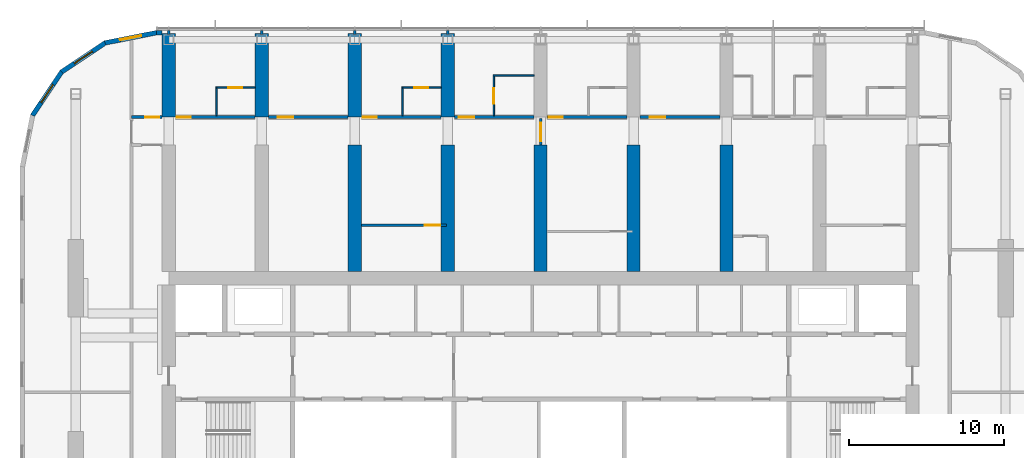
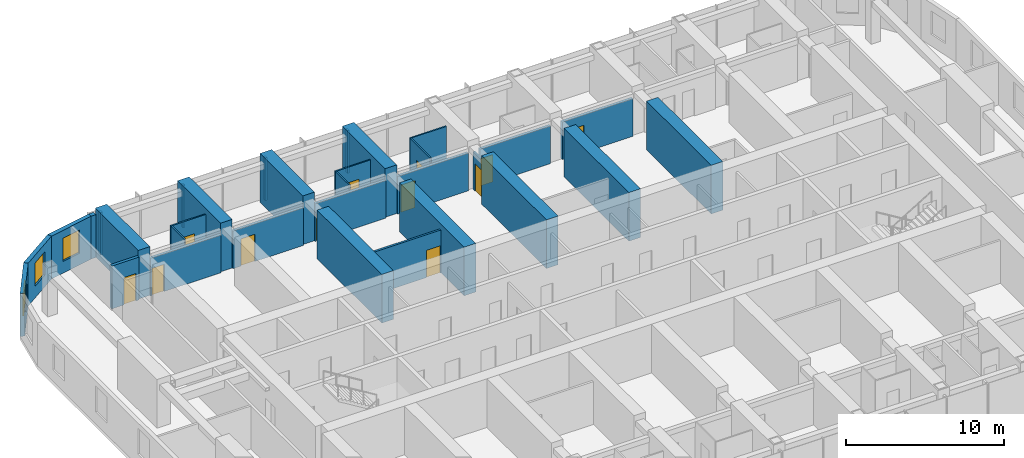
# One storey, part 15 of 22: 32 walls, 12 doors, 3 windows, 15 openings.
"""IFC4 building model written with IfcOpenShell, lengths in metres."""

from ifc_helpers import new_model, si_unit, direction, frame, frame_2d, origin, place, context, subcontext, project, spatial, polyline, rectangle, outline, extrude, material, layer, layer_set, type_object, element, fill, save


model = new_model("IFC4")

# Units and contexts
model_context = context("Model", 3, precision=1e-05, world=origin(), true_north=direction((0.0, 1.0)))
body_context = subcontext(model_context, "Body", "Model", "MODEL_VIEW")
ifc_project = project(units=[si_unit("LENGTHUNIT", "METRE"), si_unit("AREAUNIT", "SQUARE_METRE"), si_unit("VOLUMEUNIT", "CUBIC_METRE"), si_unit("PLANEANGLEUNIT", "RADIAN"), si_unit("MASSUNIT", "GRAM", prefix="KILO")], contexts=[model_context])

# Site, building, storey
site_placement = place(None, origin())
site = spatial("IfcSite", under=ifc_project, at=site_placement, CompositionType="ELEMENT")
building_placement = place(site_placement, origin())
building = spatial("IfcBuilding", under=site, at=building_placement, Name="Orbita Commons", CompositionType="ELEMENT")
storey_placement = place(building_placement, frame((0.0, 0.0, 189.85009765625)))
storey = spatial("IfcBuildingStorey", under=building, at=storey_placement, Name="L47", CompositionType="ELEMENT", Elevation=189.85009765625)

# Wall, opening, door
ifc_material_1 = material(Name="Concrete blockwork", Category="masonry")
ifc_layer_1 = layer(ifc_material_1, 0.199951171875)
ifc_layer_set_1 = layer_set([ifc_layer_1], Name="Concrete blockwork")
wall_type_1 = type_object("IfcWallType", Name="Corridor wall 200 blockwork", PredefinedType="SOLIDWALL", material=ifc_layer_set_1)
wall_1_placement = place(storey_placement, frame((15.60009765625, 48.60009765625, 0.0), z_axis=(0.0, 0.0, 1.0), x_axis=(1.0, 0.0, 0.0)))
wall_1 = element("IfcWall", 1, at=wall_1_placement, inside=storey, type_object=wall_type_1, Name="Corridor wall 200 blockwork L47", PredefinedType="SOLIDWALL", context=body_context, shape_type="SweptSolid", body=[
    extrude(rectangle(XDim=1.974853515625, YDim=0.199951171875, at=frame_2d((0.9873046875, 0.0))), origin(), (0.0, 0.0, 1.0), 3.2998046875),
])
opening_1_placement = place(wall_1_placement, frame((0.875, 0.0, 0.0)))
opening_1 = element("IfcOpeningElement", 2, at=opening_1_placement, cuts=wall_1, Name="Opening D05", PredefinedType="OPENING", context=body_context, shape_type="SweptSolid", body=[
    extrude(rectangle(XDim=0.89990234375, YDim=2.10009765625, at=frame_2d((0.449951171875, 1.050048828125))), frame((0.0, 0.10986328125, 0.0), z_axis=(0.0, -1.0, 0.0), x_axis=(1.0, 0.0, 0.0)), (0.0, 0.0, 1.0), 0.219970703125),
])
ifc_material_2 = material(Name="Steel-faced fire door leaf", Category="steel")
door_type_1 = type_object("IfcDoorType", Name="Service door 20 min 900x2100", OperationType="SINGLE_SWING_LEFT", PredefinedType="DOOR", material=ifc_material_2)
door_1_placement = place(opening_1_placement, origin())
door_1 = element("IfcDoor", 3, at=door_1_placement, inside=storey, type_object=door_type_1, Name="Linen store L47-KWN door", OperationType="SINGLE_SWING_LEFT", OverallHeight=2.10009765625, OverallWidth=0.89990234375, PredefinedType="DOOR", context=body_context, shape_type="SweptSolid", body=[
    extrude(rectangle(XDim=0.89990234375, YDim=2.10009765625, at=frame_2d((0.449951171875, 1.050048828125))), frame((0.0, 0.02490234375, 0.0), z_axis=(0.0, -1.0, 0.0), x_axis=(1.0, 0.0, 0.0)), (0.0, 0.0, 1.0), 0.050048828125),
])
fill(opening_1, door_1)

wall_2_placement = place(storey_placement, frame((18.425048828125, 48.60009765625, 0.0), z_axis=(0.0, 0.0, 1.0), x_axis=(1.0, 0.0, 0.0)))
wall_2 = element("IfcWall", 4, at=wall_2_placement, inside=storey, type_object=wall_type_1, Name="Corridor wall 200 blockwork L47", PredefinedType="SOLIDWALL", context=body_context, shape_type="SweptSolid", body=[
    extrude(outline(polyline([(0.0, 0.0), (5.14990234375, 0.0), (5.14990234375, 2.89990234375), (0.0, 2.89990234375), (0.0, 0.0)])), frame((0.0, 0.10009765625, 0.0), z_axis=(0.0, -1.0, 0.0), x_axis=(1.0, 0.0, 0.0)), (0.0, 0.0, 1.0), 0.199951171875),
])
opening_2_placement = place(wall_2_placement, frame((0.10009765625, 0.0, 0.0)))
opening_2 = element("IfcOpeningElement", 5, at=opening_2_placement, cuts=wall_2, Name="Opening D11", PredefinedType="OPENING", context=body_context, shape_type="SweptSolid", body=[
    extrude(rectangle(XDim=0.89990234375, YDim=2.10009765625, at=frame_2d((0.449951171875, 1.050048828125))), frame((0.0, 0.10986328125, 0.0), z_axis=(0.0, -1.0, 0.0), x_axis=(1.0, 0.0, 0.0)), (0.0, 0.0, 1.0), 0.219970703125),
])
ifc_material_3 = material(Name="Steel-faced fire door leaf", Category="steel")
door_type_2 = type_object("IfcDoorType", Name="Corridor door 20 min 900x2100", OperationType="SINGLE_SWING_LEFT", PredefinedType="DOOR", material=ifc_material_3)
door_2_placement = place(opening_2_placement, origin())
door_2 = element("IfcDoor", 6, at=door_2_placement, inside=storey, type_object=door_type_2, Name="Twin room L47-N00 door", OperationType="SINGLE_SWING_LEFT", OverallHeight=2.10009765625, OverallWidth=0.89990234375, PredefinedType="DOOR", context=body_context, shape_type="SweptSolid", body=[
    extrude(rectangle(XDim=0.89990234375, YDim=2.10009765625, at=frame_2d((0.449951171875, 1.050048828125))), frame((0.0, 0.02490234375, 0.0), z_axis=(0.0, -1.0, 0.0), x_axis=(1.0, 0.0, 0.0)), (0.0, 0.0, 1.0), 0.050048828125),
])
fill(opening_2, door_2)

wall_3_placement = place(storey_placement, frame((24.425048828125, 48.60009765625, 0.0), z_axis=(0.0, 0.0, 1.0), x_axis=(1.0, 0.0, 0.0)))
wall_3 = element("IfcWall", 7, at=wall_3_placement, inside=storey, type_object=wall_type_1, Name="Corridor wall 200 blockwork L47", PredefinedType="SOLIDWALL", context=body_context, shape_type="SweptSolid", body=[
    extrude(outline(polyline([(0.0, 0.0), (5.14990234375, 0.0), (5.14990234375, 2.89990234375), (0.0, 2.89990234375), (0.0, 0.0)])), frame((0.0, 0.10009765625, 0.0), z_axis=(0.0, -1.0, 0.0), x_axis=(1.0, 0.0, 0.0)), (0.0, 0.0, 1.0), 0.199951171875),
])
opening_3_placement = place(wall_3_placement, frame((0.60009765625, 0.0, 0.0)))
opening_3 = element("IfcOpeningElement", 8, at=opening_3_placement, cuts=wall_3, Name="Opening D06", PredefinedType="OPENING", context=body_context, shape_type="SweptSolid", body=[
    extrude(rectangle(XDim=1.0, YDim=2.10009765625, at=frame_2d((0.5, 1.050048828125))), frame((0.0, 0.10986328125, 0.0), z_axis=(0.0, -1.0, 0.0), x_axis=(1.0, 0.0, 0.0)), (0.0, 0.0, 1.0), 0.219970703125),
])
ifc_material_4 = material(Name="Steel-faced fire door leaf", Category="steel")
door_type_3 = type_object("IfcDoorType", Name="Corridor door 20 min 1000x2100", OperationType="SINGLE_SWING_LEFT", PredefinedType="DOOR", material=ifc_material_4)
door_3_placement = place(opening_3_placement, origin())
door_3 = element("IfcDoor", 9, at=door_3_placement, inside=storey, type_object=door_type_3, Name="Sea-view lounge L47-N02 door", OperationType="SINGLE_SWING_LEFT", OverallHeight=2.10009765625, OverallWidth=1.0, PredefinedType="DOOR", context=body_context, shape_type="SweptSolid", body=[
    extrude(rectangle(XDim=1.0, YDim=2.10009765625, at=frame_2d((0.5, 1.050048828125))), frame((0.0, 0.02490234375, 0.0), z_axis=(0.0, -1.0, 0.0), x_axis=(1.0, 0.0, 0.0)), (0.0, 0.0, 1.0), 0.050048828125),
])
fill(opening_3, door_3)

wall_4_placement = place(storey_placement, frame((30.425048828125, 48.60009765625, 0.0), z_axis=(0.0, 0.0, 1.0), x_axis=(1.0, 0.0, 0.0)))
wall_4 = element("IfcWall", 10, at=wall_4_placement, inside=storey, type_object=wall_type_1, Name="Corridor wall 200 blockwork L47", PredefinedType="SOLIDWALL", context=body_context, shape_type="SweptSolid", body=[
    extrude(outline(polyline([(0.0, 0.0), (5.14990234375, 0.0), (5.14990234375, 2.89990234375), (0.0, 2.89990234375), (0.0, 0.0)])), frame((0.0, 0.10009765625, 0.0), z_axis=(0.0, -1.0, 0.0), x_axis=(1.0, 0.0, 0.0)), (0.0, 0.0, 1.0), 0.199951171875),
])
opening_4_placement = place(wall_4_placement, frame((0.10009765625, 0.0, 0.0)))
opening_4 = element("IfcOpeningElement", 11, at=opening_4_placement, cuts=wall_4, Name="Opening D11", PredefinedType="OPENING", context=body_context, shape_type="SweptSolid", body=[
    extrude(rectangle(XDim=0.89990234375, YDim=2.10009765625, at=frame_2d((0.449951171875, 1.050048828125))), frame((0.0, 0.10986328125, 0.0), z_axis=(0.0, -1.0, 0.0), x_axis=(1.0, 0.0, 0.0)), (0.0, 0.0, 1.0), 0.219970703125),
])
door_4_placement = place(opening_4_placement, origin())
door_4 = element("IfcDoor", 12, at=door_4_placement, inside=storey, type_object=door_type_2, Name="Twin room L47-N04 door", OperationType="SINGLE_SWING_LEFT", OverallHeight=2.10009765625, OverallWidth=0.89990234375, PredefinedType="DOOR", context=body_context, shape_type="SweptSolid", body=[
    extrude(rectangle(XDim=0.89990234375, YDim=2.10009765625, at=frame_2d((0.449951171875, 1.050048828125))), frame((0.0, 0.02490234375, 0.0), z_axis=(0.0, -1.0, 0.0), x_axis=(1.0, 0.0, 0.0)), (0.0, 0.0, 1.0), 0.050048828125),
])
fill(opening_4, door_4)

wall_5_placement = place(storey_placement, frame((36.425048828125, 48.60009765625, 0.0), z_axis=(0.0, 0.0, 1.0), x_axis=(1.0, 0.0, 0.0)))
wall_5 = element("IfcWall", 13, at=wall_5_placement, inside=storey, type_object=wall_type_1, Name="Corridor wall 200 blockwork L47", PredefinedType="SOLIDWALL", context=body_context, shape_type="SweptSolid", body=[
    extrude(outline(polyline([(0.0, 0.0), (5.14990234375, 0.0), (5.14990234375, 2.89990234375), (0.0, 2.89990234375), (0.0, 0.0)])), frame((0.0, 0.10009765625, 0.0), z_axis=(0.0, -1.0, 0.0), x_axis=(1.0, 0.0, 0.0)), (0.0, 0.0, 1.0), 0.199951171875),
])
opening_5_placement = place(wall_5_placement, frame((0.300048828125, 0.0, 0.0)))
opening_5 = element("IfcOpeningElement", 14, at=opening_5_placement, cuts=wall_5, Name="Opening D06", PredefinedType="OPENING", context=body_context, shape_type="SweptSolid", body=[
    extrude(rectangle(XDim=1.0, YDim=2.10009765625, at=frame_2d((0.5, 1.050048828125))), frame((0.0, 0.10986328125, 0.0), z_axis=(0.0, -1.0, 0.0), x_axis=(1.0, 0.0, 0.0)), (0.0, 0.0, 1.0), 0.219970703125),
])
door_5_placement = place(opening_5_placement, origin())
door_5 = element("IfcDoor", 15, at=door_5_placement, inside=storey, type_object=door_type_3, Name="Accessible bedroom L47-N06 door", OperationType="SINGLE_SWING_LEFT", OverallHeight=2.10009765625, OverallWidth=1.0, PredefinedType="DOOR", context=body_context, shape_type="SweptSolid", body=[
    extrude(rectangle(XDim=1.0, YDim=2.10009765625, at=frame_2d((0.5, 1.050048828125))), frame((0.0, 0.02490234375, 0.0), z_axis=(0.0, -1.0, 0.0), x_axis=(1.0, 0.0, 0.0)), (0.0, 0.0, 1.0), 0.050048828125),
])
fill(opening_5, door_5)

wall_6_placement = place(storey_placement, frame((42.425048828125, 48.60009765625, 0.0), z_axis=(0.0, 0.0, 1.0), x_axis=(1.0, 0.0, 0.0)))
wall_6 = element("IfcWall", 16, at=wall_6_placement, inside=storey, type_object=wall_type_1, Name="Corridor wall 200 blockwork L47", PredefinedType="SOLIDWALL", context=body_context, shape_type="SweptSolid", body=[
    extrude(outline(polyline([(0.0, 0.0), (5.14990234375, 0.0), (5.14990234375, 2.89990234375), (0.0, 2.89990234375), (0.0, 0.0)])), frame((0.0, 0.10009765625, 0.0), z_axis=(0.0, -1.0, 0.0), x_axis=(1.0, 0.0, 0.0)), (0.0, 0.0, 1.0), 0.199951171875),
])
opening_6_placement = place(wall_6_placement, frame((0.10009765625, 0.0, 0.0)))
opening_6 = element("IfcOpeningElement", 17, at=opening_6_placement, cuts=wall_6, Name="Opening D11", PredefinedType="OPENING", context=body_context, shape_type="SweptSolid", body=[
    extrude(rectangle(XDim=0.89990234375, YDim=2.10009765625, at=frame_2d((0.449951171875, 1.050048828125))), frame((0.0, 0.10986328125, 0.0), z_axis=(0.0, -1.0, 0.0), x_axis=(1.0, 0.0, 0.0)), (0.0, 0.0, 1.0), 0.219970703125),
])
door_6_placement = place(opening_6_placement, origin())
door_6 = element("IfcDoor", 18, at=door_6_placement, inside=storey, type_object=door_type_2, Name="Twin room L47-N08 door", OperationType="SINGLE_SWING_LEFT", OverallHeight=2.10009765625, OverallWidth=0.89990234375, PredefinedType="DOOR", context=body_context, shape_type="SweptSolid", body=[
    extrude(rectangle(XDim=0.89990234375, YDim=2.10009765625, at=frame_2d((0.449951171875, 1.050048828125))), frame((0.0, 0.02490234375, 0.0), z_axis=(0.0, -1.0, 0.0), x_axis=(1.0, 0.0, 0.0)), (0.0, 0.0, 1.0), 0.050048828125),
])
fill(opening_6, door_6)

wall_7_placement = place(storey_placement, frame((48.425048828125, 48.60009765625, 0.0), z_axis=(0.0, 0.0, 1.0), x_axis=(1.0, 0.0, 0.0)))
wall_7 = element("IfcWall", 19, at=wall_7_placement, inside=storey, type_object=wall_type_1, Name="Corridor wall 200 blockwork L47", PredefinedType="SOLIDWALL", context=body_context, shape_type="SweptSolid", body=[
    extrude(outline(polyline([(0.0, 0.0), (5.14990234375, 0.0), (5.14990234375, 2.89990234375), (0.0, 2.89990234375), (0.0, 0.0)])), frame((0.0, 0.10009765625, 0.0), z_axis=(0.0, -1.0, 0.0), x_axis=(1.0, 0.0, 0.0)), (0.0, 0.0, 1.0), 0.199951171875),
])
opening_7_placement = place(wall_7_placement, frame((0.60009765625, 0.0, 0.0)))
opening_7 = element("IfcOpeningElement", 20, at=opening_7_placement, cuts=wall_7, Name="Opening D06", PredefinedType="OPENING", context=body_context, shape_type="SweptSolid", body=[
    extrude(rectangle(XDim=1.0, YDim=2.10009765625, at=frame_2d((0.5, 1.050048828125))), frame((0.0, 0.10986328125, 0.0), z_axis=(0.0, -1.0, 0.0), x_axis=(1.0, 0.0, 0.0)), (0.0, 0.0, 1.0), 0.219970703125),
])
door_7_placement = place(opening_7_placement, origin())
door_7 = element("IfcDoor", 21, at=door_7_placement, inside=storey, type_object=door_type_3, Name="Cluster kitchen-diner L47-N10 door", OperationType="SINGLE_SWING_LEFT", OverallHeight=2.10009765625, OverallWidth=1.0, PredefinedType="DOOR", context=body_context, shape_type="SweptSolid", body=[
    extrude(rectangle(XDim=1.0, YDim=2.10009765625, at=frame_2d((0.5, 1.050048828125))), frame((0.0, 0.02490234375, 0.0), z_axis=(0.0, -1.0, 0.0), x_axis=(1.0, 0.0, 0.0)), (0.0, 0.0, 1.0), 0.050048828125),
])
fill(opening_7, door_7)

# Walls
ifc_material_5 = material(Name="Concrete C50/60", Category="concrete")
ifc_layer_2 = layer(ifc_material_5, 0.85009765625)
ifc_layer_set_2 = layer_set([ifc_layer_2], Name="Concrete C50/60")
wall_type_2 = type_object("IfcWallType", Name="Cross wall 850 C50/60", PredefinedType="SHEAR", material=ifc_layer_set_2)
for number, where, z_axis, x_axis, name in (
    (22, (18.0, 48.60009765625, 0.0), (0.0, 0.0, 1.0), (0.0, 1.0, 0.0), "Cross wall 4 north outer L47"),
    (23, (24.0, 48.60009765625, 0.0), (0.0, 0.0, 1.0), (0.0, 1.0, 0.0), "Cross wall 5 north outer L47"),
    (24, (30.0, 48.60009765625, 0.0), (0.0, 0.0, 1.0), (0.0, 1.0, 0.0), "Cross wall 6 north outer L47"),
):
    element("IfcWall", number, at=place(storey_placement, frame(where, z_axis=z_axis, x_axis=x_axis)), inside=storey, type_object=wall_type_2, Name=name, PredefinedType="SHEAR", context=body_context, shape_type="SweptSolid", body=[
        extrude(rectangle(XDim=5.39990234375, YDim=0.85009765625, at=frame_2d((2.699951171875, 0.0))), origin(), (0.0, 0.0, 1.0), 3.75),
    ])
wall_8_placement = place(storey_placement, frame((30.0, 38.625, 0.0), z_axis=(0.0, 0.0, 1.0), x_axis=(0.0, 1.0, 0.0)))
element("IfcWall", 25, at=wall_8_placement, inside=storey, type_object=wall_type_2, Name="Cross wall 6 north inner L47", PredefinedType="SHEAR", context=body_context, shape_type="SweptSolid", body=[
    extrude(rectangle(XDim=8.175048828125, YDim=0.85009765625, at=frame_2d((4.08740234375, 0.0))), origin(), (0.0, 0.0, 1.0), 3.75),
])
wall_9_placement = place(storey_placement, frame((36.0, 48.60009765625, 0.0), z_axis=(0.0, 0.0, 1.0), x_axis=(0.0, 1.0, 0.0)))
element("IfcWall", 26, at=wall_9_placement, inside=storey, type_object=wall_type_2, Name="Cross wall 7 north outer L47", PredefinedType="SHEAR", context=body_context, shape_type="SweptSolid", body=[
    extrude(rectangle(XDim=5.39990234375, YDim=0.85009765625, at=frame_2d((2.699951171875, 0.0))), origin(), (0.0, 0.0, 1.0), 3.75),
])
for number, where, z_axis, x_axis, name in (
    (27, (36.0, 38.625, 0.0), (0.0, 0.0, 1.0), (0.0, 1.0, 0.0), "Cross wall 7 north inner L47"),
    (28, (42.0, 38.625, 0.0), (0.0, 0.0, 1.0), (0.0, 1.0, 0.0), "Cross wall 8 north inner L47"),
    (29, (48.0, 38.625, 0.0), (0.0, 0.0, 1.0), (0.0, 1.0, 0.0), "Cross wall 9 north inner L47"),
    (30, (54.0, 38.625, 0.0), (0.0, 0.0, 1.0), (0.0, 1.0, 0.0), "Cross wall 10 north inner L47"),
):
    element("IfcWall", number, at=place(storey_placement, frame(where, z_axis=z_axis, x_axis=x_axis)), inside=storey, type_object=wall_type_2, Name=name, PredefinedType="SHEAR", context=body_context, shape_type="SweptSolid", body=[
        extrude(rectangle(XDim=8.175048828125, YDim=0.85009765625, at=frame_2d((4.08740234375, 0.0))), origin(), (0.0, 0.0, 1.0), 3.75),
    ])

# Wall, opening, door
ifc_material_6 = material(Name="Moisture-resistant plasterboard on steel studs", Category="steel")
ifc_layer_3 = layer(ifc_material_6, 0.10009765625)
ifc_layer_set_3 = layer_set([ifc_layer_3], Name="Moisture-resistant plasterboard on steel studs")
wall_type_3 = type_object("IfcWallType", Name="En-suite partition 100", PredefinedType="PARTITIONING", material=ifc_layer_set_3)
wall_10_placement = place(storey_placement, frame((21.02490234375, 50.5, 0.0), z_axis=(0.0, 0.0, 1.0), x_axis=(1.0, 0.0, 0.0)))
wall_10 = element("IfcWall", 31, at=wall_10_placement, inside=storey, type_object=wall_type_3, Name="En-suite partition 100 L47", PredefinedType="PARTITIONING", context=body_context, shape_type="SweptSolid", body=[
    extrude(rectangle(XDim=2.550048828125, YDim=0.10009765625, at=frame_2d((1.27490234375, 0.0))), origin(), (0.0, 0.0, 1.0), 3.2998046875),
])
opening_8_placement = place(wall_10_placement, frame((0.824951171875, 0.0, 0.0)))
opening_8 = element("IfcOpeningElement", 32, at=opening_8_placement, cuts=wall_10, Name="Opening D09", PredefinedType="OPENING", context=body_context, shape_type="SweptSolid", body=[
    extrude(rectangle(XDim=0.89990234375, YDim=2.10009765625, at=frame_2d((0.449951171875, 1.050048828125))), frame((0.0, 0.06005859375, 0.0), z_axis=(0.0, -1.0, 0.0), x_axis=(1.0, 0.0, 0.0)), (0.0, 0.0, 1.0), 0.1201171875),
])
ifc_material_7 = material(Name="Laminated timber door leaf", Category="wood")
door_type_4 = type_object("IfcDoorType", Name="En-suite door 900x2100", OperationType="SINGLE_SWING_RIGHT", PredefinedType="DOOR", material=ifc_material_7)
door_8_placement = place(opening_8_placement, origin())
door_8 = element("IfcDoor", 33, at=door_8_placement, inside=storey, type_object=door_type_4, Name="En-suite L47-N00 door", OperationType="SINGLE_SWING_RIGHT", OverallHeight=2.10009765625, OverallWidth=0.89990234375, PredefinedType="DOOR", context=body_context, shape_type="SweptSolid", body=[
    extrude(rectangle(XDim=0.89990234375, YDim=2.10009765625, at=frame_2d((0.449951171875, 1.050048828125))), frame((0.0, 0.02490234375, 0.0), z_axis=(0.0, -1.0, 0.0), x_axis=(1.0, 0.0, 0.0)), (0.0, 0.0, 1.0), 0.050048828125),
])
fill(opening_8, door_8)

# Wall
wall_11_placement = place(storey_placement, frame((21.074951171875, 50.449951171875, 0.0), z_axis=(0.0, 0.0, 1.0), x_axis=(0.0, -1.0, 0.0)))
element("IfcWall", 34, at=wall_11_placement, inside=storey, type_object=wall_type_3, Name="En-suite partition 100 L47", PredefinedType="PARTITIONING", context=body_context, shape_type="SweptSolid", body=[
    extrude(outline(polyline([(0.0, 0.0), (1.75, 0.0), (1.75, 2.89990234375), (1.701904296875, 2.89990234375), (1.699951171875, 3.2998046875), (0.0, 3.2998046875), (0.0, 0.0)])), frame((0.0, 0.050048828125, 0.0), z_axis=(0.0, -1.0, 0.0), x_axis=(1.0, 0.0, 0.0)), (0.0, 0.0, 1.0), 0.10009765625),
])

# Wall, opening, door
wall_12_placement = place(storey_placement, frame((33.02490234375, 50.5, 0.0), z_axis=(0.0, 0.0, 1.0), x_axis=(1.0, 0.0, 0.0)))
wall_12 = element("IfcWall", 35, at=wall_12_placement, inside=storey, type_object=wall_type_3, Name="En-suite partition 100 L47", PredefinedType="PARTITIONING", context=body_context, shape_type="SweptSolid", body=[
    extrude(rectangle(XDim=2.550048828125, YDim=0.10009765625, at=frame_2d((1.27490234375, 0.0))), origin(), (0.0, 0.0, 1.0), 3.2998046875),
])
opening_9_placement = place(wall_12_placement, frame((0.824951171875, 0.0, 0.0)))
opening_9 = element("IfcOpeningElement", 36, at=opening_9_placement, cuts=wall_12, Name="Opening D09", PredefinedType="OPENING", context=body_context, shape_type="SweptSolid", body=[
    extrude(rectangle(XDim=0.89990234375, YDim=2.10009765625, at=frame_2d((0.449951171875, 1.050048828125))), frame((0.0, 0.06005859375, 0.0), z_axis=(0.0, -1.0, 0.0), x_axis=(1.0, 0.0, 0.0)), (0.0, 0.0, 1.0), 0.1201171875),
])
door_9_placement = place(opening_9_placement, origin())
door_9 = element("IfcDoor", 37, at=door_9_placement, inside=storey, type_object=door_type_4, Name="En-suite L47-N04 door", OperationType="SINGLE_SWING_RIGHT", OverallHeight=2.10009765625, OverallWidth=0.89990234375, PredefinedType="DOOR", context=body_context, shape_type="SweptSolid", body=[
    extrude(rectangle(XDim=0.89990234375, YDim=2.10009765625, at=frame_2d((0.449951171875, 1.050048828125))), frame((0.0, 0.02490234375, 0.0), z_axis=(0.0, -1.0, 0.0), x_axis=(1.0, 0.0, 0.0)), (0.0, 0.0, 1.0), 0.050048828125),
])
fill(opening_9, door_9)

# Walls
wall_13_placement = place(storey_placement, frame((33.074951171875, 50.449951171875, 0.0), z_axis=(0.0, 0.0, 1.0), x_axis=(0.0, -1.0, 0.0)))
element("IfcWall", 38, at=wall_13_placement, inside=storey, type_object=wall_type_3, Name="En-suite partition 100 L47", PredefinedType="PARTITIONING", context=body_context, shape_type="SweptSolid", body=[
    extrude(outline(polyline([(0.0, 0.0), (1.75, 0.0), (1.75, 2.89990234375), (1.701904296875, 2.89990234375), (1.699951171875, 3.2998046875), (0.0, 3.2998046875), (0.0, 0.0)])), frame((0.0, 0.050048828125, 0.0), z_axis=(0.0, -1.0, 0.0), x_axis=(1.0, 0.0, 0.0)), (0.0, 0.0, 1.0), 0.10009765625),
])
wall_14_placement = place(storey_placement, frame((38.925048828125, 51.300048828125, 0.0), z_axis=(0.0, 0.0, 1.0), x_axis=(1.0, 0.0, 0.0)))
element("IfcWall", 39, at=wall_14_placement, inside=storey, type_object=wall_type_3, Name="En-suite partition 100 L47", PredefinedType="PARTITIONING", context=body_context, shape_type="SweptSolid", body=[
    extrude(rectangle(XDim=2.64990234375, YDim=0.10009765625, at=frame_2d((1.324951171875, 0.0))), origin(), (0.0, 0.0, 1.0), 3.2998046875),
])

# Wall, opening, door
wall_15_placement = place(storey_placement, frame((38.97509765625, 51.25, 0.0), z_axis=(0.0, 0.0, 1.0), x_axis=(0.0, -1.0, 0.0)))
wall_15 = element("IfcWall", 40, at=wall_15_placement, inside=storey, type_object=wall_type_3, Name="En-suite partition 100 L47", PredefinedType="PARTITIONING", context=body_context, shape_type="SweptSolid", body=[
    extrude(outline(polyline([(0.0, 0.0), (2.550048828125, 0.0), (2.550048828125, 2.89990234375), (2.501953125, 2.89990234375), (2.5, 3.2998046875), (0.0, 3.2998046875), (0.0, 0.0)])), frame((0.0, 0.050048828125, 0.0), z_axis=(0.0, -1.0, 0.0), x_axis=(1.0, 0.0, 0.0)), (0.0, 0.0, 1.0), 0.10009765625),
])
opening_10_placement = place(wall_15_placement, frame((0.800048828125, 0.0, 0.0)))
opening_10 = element("IfcOpeningElement", 41, at=opening_10_placement, cuts=wall_15, Name="Opening D13", PredefinedType="OPENING", context=body_context, shape_type="SweptSolid", body=[
    extrude(rectangle(XDim=1.0, YDim=2.10009765625, at=frame_2d((0.5, 1.050048828125))), frame((0.0, 0.06005859375, 0.0), z_axis=(0.0, -1.0, 0.0), x_axis=(1.0, 0.0, 0.0)), (0.0, 0.0, 1.0), 0.1201171875),
])
ifc_material_8 = material(Name="Laminated timber door leaf", Category="wood")
door_type_5 = type_object("IfcDoorType", Name="En-suite door 1000x2100", OperationType="SINGLE_SWING_RIGHT", PredefinedType="DOOR", material=ifc_material_8)
door_10_placement = place(opening_10_placement, origin())
door_10 = element("IfcDoor", 42, at=door_10_placement, inside=storey, type_object=door_type_5, Name="Accessible shower room L47-N06 door", OperationType="SINGLE_SWING_RIGHT", OverallHeight=2.10009765625, OverallWidth=1.0, PredefinedType="DOOR", context=body_context, shape_type="SweptSolid", body=[
    extrude(rectangle(XDim=1.0, YDim=2.10009765625, at=frame_2d((0.5, 1.050048828125))), frame((0.0, 0.02490234375, 0.0), z_axis=(0.0, -1.0, 0.0), x_axis=(1.0, 0.0, 0.0)), (0.0, 0.0, 1.0), 0.050048828125),
])
fill(opening_10, door_10)

ifc_material_9 = material(Name="Gypsum plasterboard on steel studs", Category="steel")
ifc_layer_4 = layer(ifc_material_9, 0.14990234375)
ifc_layer_set_4 = layer_set([ifc_layer_4], Name="Gypsum plasterboard on steel studs")
wall_type_4 = type_object("IfcWallType", Name="Partition 150 plasterboard", PredefinedType="PARTITIONING", material=ifc_layer_set_4)
wall_16_placement = place(storey_placement, frame((35.925048828125, 41.625, 0.0), z_axis=(0.0, 0.0, 1.0), x_axis=(-1.0, 0.0, 0.0)))
wall_16 = element("IfcWall", 43, at=wall_16_placement, inside=storey, type_object=wall_type_4, Name="Partition 150 plasterboard L47", PredefinedType="PARTITIONING", context=body_context, shape_type="SweptSolid", body=[
    extrude(rectangle(XDim=5.5, YDim=0.14990234375, at=frame_2d((2.75, 0.0))), origin(), (0.0, 0.0, 1.0), 3.2998046875),
])
opening_11_placement = place(wall_16_placement, frame((0.39990234375, 0.0, 0.0)))
opening_11 = element("IfcOpeningElement", 44, at=opening_11_placement, cuts=wall_16, Name="Opening D17", PredefinedType="OPENING", context=body_context, shape_type="SweptSolid", body=[
    extrude(rectangle(XDim=1.0, YDim=2.10009765625, at=frame_2d((0.5, 1.050048828125))), frame((0.0, 0.0849609375, 0.0), z_axis=(0.0, -1.0, 0.0), x_axis=(1.0, 0.0, 0.0)), (0.0, 0.0, 1.0), 0.169921875),
])
ifc_material_10 = material(Name="Steel-faced fire door leaf", Category="steel")
door_type_6 = type_object("IfcDoorType", Name="Shaft access door 90 min 1000x2100", OperationType="SINGLE_SWING_LEFT", PredefinedType="DOOR", material=ifc_material_10)
door_11_placement = place(opening_11_placement, origin())
door_11 = element("IfcDoor", 45, at=door_11_placement, inside=storey, type_object=door_type_6, Name="Ventilation plant room north L47-BDN30 door", OperationType="SINGLE_SWING_LEFT", OverallHeight=2.10009765625, OverallWidth=1.0, PredefinedType="DOOR", context=body_context, shape_type="SweptSolid", body=[
    extrude(rectangle(XDim=1.0, YDim=2.10009765625, at=frame_2d((0.5, 1.050048828125))), frame((0.0, 0.02490234375, 0.0), z_axis=(0.0, -1.0, 0.0), x_axis=(1.0, 0.0, 0.0)), (0.0, 0.0, 1.0), 0.050048828125),
])
fill(opening_11, door_11)

wall_17_placement = place(storey_placement, frame((42.0, 46.800048828125, 0.0), z_axis=(0.0, 0.0, 1.0), x_axis=(0.0, 1.0, 0.0)))
wall_17 = element("IfcWall", 46, at=wall_17_placement, inside=storey, type_object=wall_type_4, Name="Partition 150 plasterboard L47", PredefinedType="PARTITIONING", context=body_context, shape_type="SweptSolid", body=[
    extrude(outline(polyline([(0.0, 0.0), (1.699951171875, 0.0), (1.699951171875, 2.89990234375), (0.0, 2.89990234375), (0.0, 0.0)])), frame((0.0, 0.074951171875, 0.0), z_axis=(0.0, -1.0, 0.0), x_axis=(1.0, 0.0, 0.0)), (0.0, 0.0, 1.0), 0.14990234375),
])
opening_12_placement = place(wall_17_placement, frame((0.25, 0.0, 0.0)))
opening_12 = element("IfcOpeningElement", 47, at=opening_12_placement, cuts=wall_17, Name="Opening D12", PredefinedType="OPENING", context=body_context, shape_type="SweptSolid", body=[
    extrude(rectangle(XDim=1.199951171875, YDim=2.10009765625, at=frame_2d((0.60009765625, 1.050048828125))), frame((0.0, 0.0849609375, 0.0), z_axis=(0.0, -1.0, 0.0), x_axis=(1.0, 0.0, 0.0)), (0.0, 0.0, 1.0), 0.169921875),
])
ifc_material_11 = material(Name="Steel-faced fire door leaf", Category="steel")
door_type_7 = type_object("IfcDoorType", Name="Double corridor door 20 min 1200x2100", OperationType="DOUBLE_DOOR_SINGLE_SWING", PredefinedType="DOOR", material=ifc_material_11)
door_12_placement = place(opening_12_placement, origin())
door_12 = element("IfcDoor", 48, at=door_12_placement, inside=storey, type_object=door_type_7, Name="Social spine north screen doors", OperationType="DOUBLE_DOOR_SINGLE_SWING", OverallHeight=2.10009765625, OverallWidth=1.199951171875, PredefinedType="DOOR", context=body_context, shape_type="SweptSolid", body=[
    extrude(rectangle(XDim=1.199951171875, YDim=2.10009765625, at=frame_2d((0.60009765625, 1.050048828125))), frame((0.0, 0.02490234375, 0.0), z_axis=(0.0, -1.0, 0.0), x_axis=(1.0, 0.0, 0.0)), (0.0, 0.0, 1.0), 0.050048828125),
])
fill(opening_12, door_12)

# Walls
for number, where, z_axis, x_axis, name in (
    (49, (18.0, 53.949951171875, 0.0), (0.0, 0.0, 1.0), (0.0, 1.0, 0.0), "Partition 150 plasterboard L47"),
    (50, (24.0, 53.949951171875, 0.0), (0.0, 0.0, 1.0), (0.0, 1.0, 0.0), "Partition 150 plasterboard L47"),
    (51, (30.0, 53.949951171875, 0.0), (0.0, 0.0, 1.0), (0.0, 1.0, 0.0), "Partition 150 plasterboard L47"),
    (52, (36.0, 53.949951171875, 0.0), (0.0, 0.0, 1.0), (0.0, 1.0, 0.0), "Partition 150 plasterboard L47"),
):
    element("IfcWall", number, at=place(storey_placement, frame(where, z_axis=z_axis, x_axis=x_axis)), inside=storey, type_object=wall_type_4, Name=name, PredefinedType="PARTITIONING", context=body_context, shape_type="SweptSolid", body=[
        extrude(rectangle(XDim=0.239990234375, YDim=0.14990234375, at=frame_2d((0.1201171875, 0.0))), origin(), (0.0, 0.0, 1.0), 3.2998046875),
    ])

# Wall, opening, window
ifc_material_12 = material(Name="Precast concrete C40/50, white board-marked finish", Category="concrete")
ifc_layer_5 = layer(ifc_material_12, 0.300048828125)
ifc_layer_set_5 = layer_set([ifc_layer_5], Name="Precast concrete C40/50, white board-marked finish")
wall_type_5 = type_object("IfcWallType", Name="Precast concrete end shield 300", PredefinedType="SOLIDWALL", material=ifc_layer_set_5)
wall_18_placement = place(storey_placement, frame((17.199951171875, 54.050048828125, 0.0), z_axis=(0.0, 0.0, 1.0), x_axis=(-0.98078325777, -0.195100490205, 0.0)))
wall_18 = element("IfcWall", 53, at=wall_18_placement, inside=storey, type_object=wall_type_5, Name="End shield NW chord 1 L47", PredefinedType="SOLIDWALL", context=body_context, shape_type="SweptSolid", body=[
    extrude(outline(polyline([(-0.02978515625, -0.14990234375), (3.40478515625, -0.14990234375), (3.34521484375, 0.14990234375), (0.02978515625, 0.14990234375), (-0.02978515625, -0.14990234375)])), origin(), (0.0, 0.0, 1.0), 3.2998046875),
])
opening_13_placement = place(wall_18_placement, frame((0.987548828125, 0.0, 0.89990234375)))
opening_13 = element("IfcOpeningElement", 54, at=opening_13_placement, cuts=wall_18, Name="Opening W02", PredefinedType="OPENING", context=body_context, shape_type="SweptSolid", body=[
    extrude(rectangle(XDim=1.39990234375, YDim=1.800048828125, at=frame_2d((0.699951171875, 0.89990234375))), frame((0.0, 0.159912109375, 0.0), z_axis=(0.0, -1.0, 0.0), x_axis=(1.0, 0.0, 0.0)), (0.0, 0.0, 1.0), 0.320068359375),
])
ifc_material_13 = material(Name="Aluminium frame, clear double glazing", Category="aluminium")
window_type = type_object("IfcWindowType", Name="Deep-set window 1400x1800", PartitioningType="SINGLE_PANEL", PredefinedType="WINDOW", material=ifc_material_13)
window_1_placement = place(opening_13_placement, origin())
window_1 = element("IfcWindow", 55, at=window_1_placement, inside=storey, type_object=window_type, Name="Window L47-NW0", OverallHeight=1.800048828125, OverallWidth=1.39990234375, PartitioningType="SINGLE_PANEL", PredefinedType="WINDOW", context=body_context, shape_type="SweptSolid", body=[
    extrude(rectangle(XDim=1.39990234375, YDim=1.800048828125, at=frame_2d((0.699951171875, 0.89990234375))), frame((0.0, 0.030029296875, 0.0), z_axis=(0.0, -1.0, 0.0), x_axis=(1.0, 0.0, 0.0)), (0.0, 0.0, 1.0), 0.06005859375),
])
fill(opening_13, window_1)

wall_19_placement = place(storey_placement, frame((13.889892578125, 53.3916015625, 0.0), z_axis=(0.0, 0.0, 1.0), x_axis=(-0.831493450887, -0.555534554399, 0.0)))
wall_19 = element("IfcWall", 56, at=wall_19_placement, inside=storey, type_object=wall_type_5, Name="End shield NW chord 2 L47", PredefinedType="SOLIDWALL", context=body_context, shape_type="SweptSolid", body=[
    extrude(outline(polyline([(-0.02978515625, -0.14990234375), (3.405029296875, -0.14990234375), (3.345458984375, 0.14990234375), (0.02978515625, 0.14990234375), (-0.02978515625, -0.14990234375)])), origin(), (0.0, 0.0, 1.0), 3.2998046875),
])
opening_14_placement = place(wall_19_placement, frame((0.987548828125, 0.0, 0.89990234375)))
opening_14 = element("IfcOpeningElement", 57, at=opening_14_placement, cuts=wall_19, Name="Opening W02", PredefinedType="OPENING", context=body_context, shape_type="SweptSolid", body=[
    extrude(rectangle(XDim=1.39990234375, YDim=1.800048828125, at=frame_2d((0.699951171875, 0.89990234375))), frame((0.0, 0.159912109375, 0.0), z_axis=(0.0, -1.0, 0.0), x_axis=(1.0, 0.0, 0.0)), (0.0, 0.0, 1.0), 0.320068359375),
])
window_2_placement = place(opening_14_placement, origin())
window_2 = element("IfcWindow", 58, at=window_2_placement, inside=storey, type_object=window_type, Name="Window L47-NW1", OverallHeight=1.800048828125, OverallWidth=1.39990234375, PartitioningType="SINGLE_PANEL", PredefinedType="WINDOW", context=body_context, shape_type="SweptSolid", body=[
    extrude(rectangle(XDim=1.39990234375, YDim=1.800048828125, at=frame_2d((0.699951171875, 0.89990234375))), frame((0.0, 0.030029296875, 0.0), z_axis=(0.0, -1.0, 0.0), x_axis=(1.0, 0.0, 0.0)), (0.0, 0.0, 1.0), 0.06005859375),
])
fill(opening_14, window_2)

wall_20_placement = place(storey_placement, frame((11.08349609375, 51.5166015625, 0.0), z_axis=(0.0, 0.0, 1.0), x_axis=(-0.555534554399, -0.831493450887, 0.0)))
wall_20 = element("IfcWall", 59, at=wall_20_placement, inside=storey, type_object=wall_type_5, Name="End shield NW chord 3 L47", PredefinedType="SOLIDWALL", context=body_context, shape_type="SweptSolid", body=[
    extrude(outline(polyline([(-0.02978515625, -0.14990234375), (3.405029296875, -0.14990234375), (3.345458984375, 0.14990234375), (0.02978515625, 0.14990234375), (-0.02978515625, -0.14990234375)])), origin(), (0.0, 0.0, 1.0), 3.2998046875),
])
opening_15_placement = place(wall_20_placement, frame((0.987548828125, 0.0, 0.89990234375)))
opening_15 = element("IfcOpeningElement", 60, at=opening_15_placement, cuts=wall_20, Name="Opening W02", PredefinedType="OPENING", context=body_context, shape_type="SweptSolid", body=[
    extrude(rectangle(XDim=1.39990234375, YDim=1.800048828125, at=frame_2d((0.699951171875, 0.89990234375))), frame((0.0, 0.159912109375, 0.0), z_axis=(0.0, -1.0, 0.0), x_axis=(1.0, 0.0, 0.0)), (0.0, 0.0, 1.0), 0.320068359375),
])
window_3_placement = place(opening_15_placement, origin())
window_3 = element("IfcWindow", 61, at=window_3_placement, inside=storey, type_object=window_type, Name="Window L47-NW2", OverallHeight=1.800048828125, OverallWidth=1.39990234375, PartitioningType="SINGLE_PANEL", PredefinedType="WINDOW", context=body_context, shape_type="SweptSolid", body=[
    extrude(rectangle(XDim=1.39990234375, YDim=1.800048828125, at=frame_2d((0.699951171875, 0.89990234375))), frame((0.0, 0.030029296875, 0.0), z_axis=(0.0, -1.0, 0.0), x_axis=(1.0, 0.0, 0.0)), (0.0, 0.0, 1.0), 0.06005859375),
])
fill(opening_15, window_3)

# Wall
wall_21_placement = place(storey_placement, frame((17.199951171875, 54.050048828125, 0.0), z_axis=(0.0, 0.0, 1.0), x_axis=(1.0, 0.0, 0.0)))
element("IfcWall", 62, at=wall_21_placement, inside=storey, type_object=wall_type_5, Name="End shield NW closer L47", PredefinedType="SOLIDWALL", context=body_context, shape_type="SweptSolid", body=[
    extrude(rectangle(XDim=0.375, YDim=0.300048828125, at=frame_2d((0.1875, 0.0))), origin(), (0.0, 0.0, 1.0), 3.2998046875),
])

save(model, "model.ifc")
